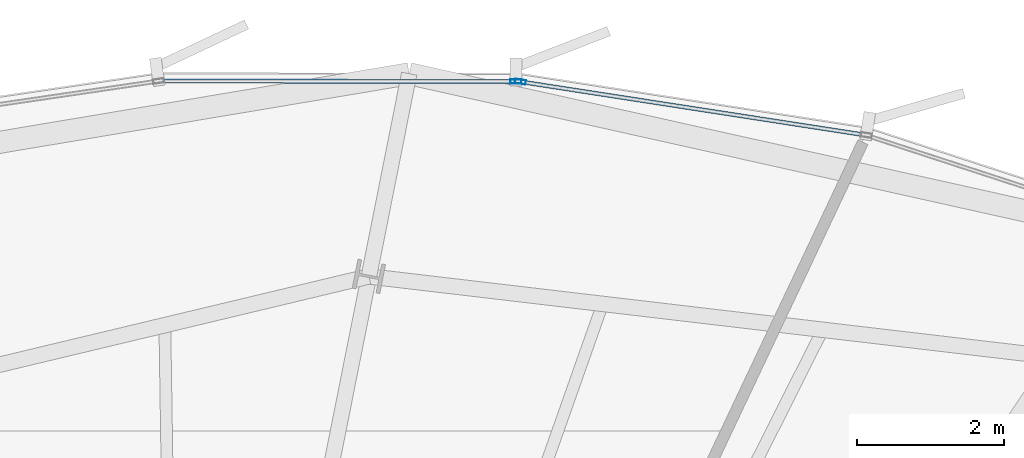
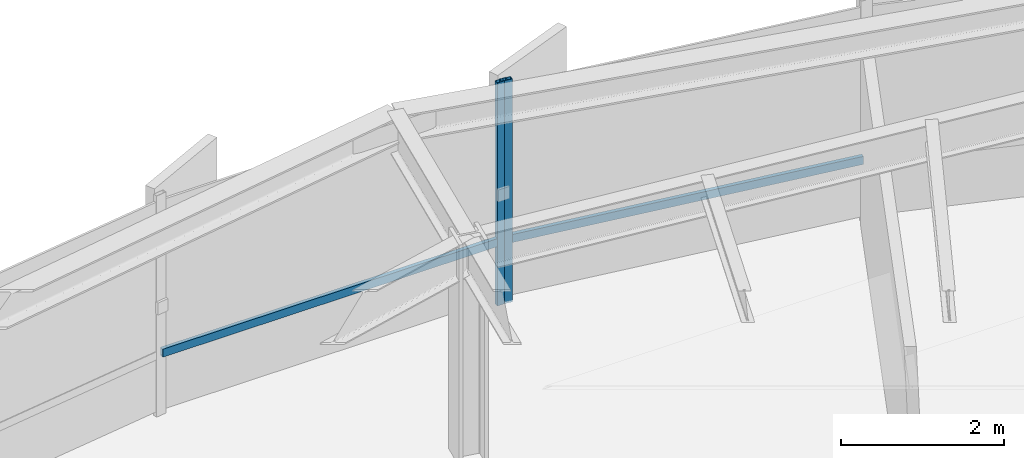
# One storey, part 25 of 33: 4 members, 2 elements without a shape of their own.
"""IFC4 building model written with IfcOpenShell, lengths in metres."""

from ifc_helpers import new_model, si_unit, direction, frame, origin, origin_2d, place, context, subcontext, project, spatial, hollow_rectangle, extrude, source, transform, mapped, material, layer, layer_set, material_profile, profile_set, type_object, element, aggregate, save


model = new_model("IFC4")

# Units and contexts
model_context = context("Model", 3, precision=1e-05, world=origin(), true_north=direction((0.0, 1.0)))
body_context = subcontext(model_context, "Body", "Model", "MODEL_VIEW")
ifc_project = project(units=[si_unit("LENGTHUNIT", "METRE"), si_unit("AREAUNIT", "SQUARE_METRE"), si_unit("VOLUMEUNIT", "CUBIC_METRE"), si_unit("PLANEANGLEUNIT", "RADIAN"), si_unit("MASSUNIT", "GRAM", prefix="KILO"), si_unit("THERMODYNAMICTEMPERATUREUNIT", "KELVIN")], contexts=[model_context])

# Site, building, storey
site_placement = place(None, origin())
site = spatial("IfcSite", under=ifc_project, at=site_placement, CompositionType="ELEMENT")
building_placement = place(site_placement, origin())
building = spatial("IfcBuilding", under=site, at=building_placement, Name="Kethvar Cultural Tower", CompositionType="ELEMENT")
storey_placement = place(building_placement, frame((0.0, 0.0, 118.0)))
storey = spatial("IfcBuildingStorey", under=building, at=storey_placement, Name="L29", CompositionType="ELEMENT", Elevation=118.0)

# Curtain wall, member
ifc_material = material(Name="Aluminium 6063-T6", Category="aluminium")
ifc_layer = layer(ifc_material, 0.179931640625, Name="Aluminium 6063-T6", Category="aluminium")
ifc_layer_set = layer_set([ifc_layer], Name="Aluminium 6063-T6 (180 mm)")
curtain_wall_type = type_object("IfcCurtainWallType", Name="CW-SYS-03-Z2", PredefinedType="NOTDEFINED", material=ifc_layer_set)
curtain_wall_1_placement = place(storey_placement, origin())
curtain_wall_1 = element("IfcCurtainWall", 1, at=curtain_wall_1_placement, inside=storey, type_object=curtain_wall_type, Name="L29 Curtain Wall Run 01", PredefinedType="NOTDEFINED")
ifc_material_profile_1 = material_profile(ifc_material, hollow_rectangle(XDim=0.06005859375, YDim=0.14990234375, WallThickness=0.0048828125, at=origin_2d()), Name="Aluminium 6063-T6 — RHS150x60x5")
ifc_profile_set_1 = profile_set([ifc_material_profile_1], Name="Aluminium 6063-T6 — RHS150x60x5")
member_type_1 = type_object("IfcMemberType", Name="CW-SYS-03-Z2-MUL", PredefinedType="MULLION", material=ifc_profile_set_1)
shared_shape_1 = source(origin(), body_context, "Body", "SweptSolid", [
    extrude(hollow_rectangle(XDim=0.06005859375, YDim=0.14990234375, WallThickness=0.0048828125, at=origin_2d()), origin(), (0.0, 0.0, 1.0), 3.35009765625),
])
member_1_placement = place(storey_placement, frame((53.125244140625, 51.902587890625, 0.0), z_axis=(0.0, 0.0, 1.0), x_axis=(-0.152761610441, -0.988263067394, 0.0)))
member_1 = element("IfcMember", 2, at=member_1_placement, type_object=member_type_1, Name="CW-L29-R01 Mullion 7", PredefinedType="MULLION", context=body_context, shape_type="MappedRepresentation", body=[
    mapped(shared_shape_1, transform((0.0, 0.0, 0.0), scale=1.0)),
])

curtain_wall_2_placement = place(storey_placement, origin())
curtain_wall_2 = element("IfcCurtainWall", 3, at=curtain_wall_2_placement, inside=storey, type_object=curtain_wall_type, Name="L29 Curtain Wall Run 02", PredefinedType="NOTDEFINED")
member_2_placement = place(storey_placement, frame((53.065185546875, 51.906982421875, 0.0), z_axis=(0.0, 0.0, 1.0), x_axis=(-0.000698131644, -0.999999756306, 0.0)))
member_2 = element("IfcMember", 4, at=member_2_placement, type_object=member_type_1, Name="CW-L29-R02 Mullion 1", PredefinedType="MULLION", context=body_context, shape_type="MappedRepresentation", body=[
    mapped(shared_shape_1, transform((0.0, 0.0, 0.0), scale=1.0)),
])

# Member
ifc_material_profile_2 = material_profile(ifc_material, hollow_rectangle(XDim=0.054931640625, YDim=0.1201171875, WallThickness=0.00390625, at=origin_2d()), Name="Aluminium 6063-T6 — RHS120x55x4")
ifc_profile_set_2 = profile_set([ifc_material_profile_2], Name="Aluminium 6063-T6 — RHS120x55x4")
member_type_2 = type_object("IfcMemberType", Name="CW-SYS-03-Z2-TRN", PredefinedType="USERDEFINED", material=ifc_profile_set_2)
shared_shape_2 = source(origin(), body_context, "Body", "SweptSolid", [
    extrude(hollow_rectangle(XDim=0.054931640625, YDim=0.1201171875, WallThickness=0.00390625, at=origin_2d()), origin(), (0.0, 0.0, 1.0), 4.705078125),
])
member_3_placement = place(storey_placement, frame((57.779296875, 51.18310546875, 0.949951171875), z_axis=(-0.988263472928, 0.15275898689, 0.0), x_axis=(-0.15275898689, -0.988263472928, 0.0)))
member_3 = element("IfcMember", 5, at=member_3_placement, type_object=member_type_2, Name="CW-L29-R01 Transom 6", ObjectType="TRANSOM", PredefinedType="USERDEFINED", context=body_context, shape_type="MappedRepresentation", body=[
    mapped(shared_shape_2, transform((0.0, 0.0, 0.0), scale=1.0)),
])

aggregate(curtain_wall_1, [member_1, member_3])

shared_shape_3 = source(origin(), body_context, "Body", "SweptSolid", [
    extrude(hollow_rectangle(XDim=0.054931640625, YDim=0.1201171875, WallThickness=0.00390625, at=origin_2d()), origin(), (0.0, 0.0, 1.0), 4.821044921875),
])
member_4_placement = place(storey_placement, frame((53.060791015625, 51.906982421875, 0.949951171875), z_axis=(-0.999999748682, 0.000708968273, 0.0), x_axis=(-0.000708968273, -0.999999748682, 0.0)))
member_4 = element("IfcMember", 6, at=member_4_placement, type_object=member_type_2, Name="CW-L29-R02 Transom 1", ObjectType="TRANSOM", PredefinedType="USERDEFINED", context=body_context, shape_type="MappedRepresentation", body=[
    mapped(shared_shape_3, transform((0.0, 0.0, 0.0), scale=1.0)),
])

aggregate(curtain_wall_2, [member_2, member_4])

save(model, "model.ifc")
